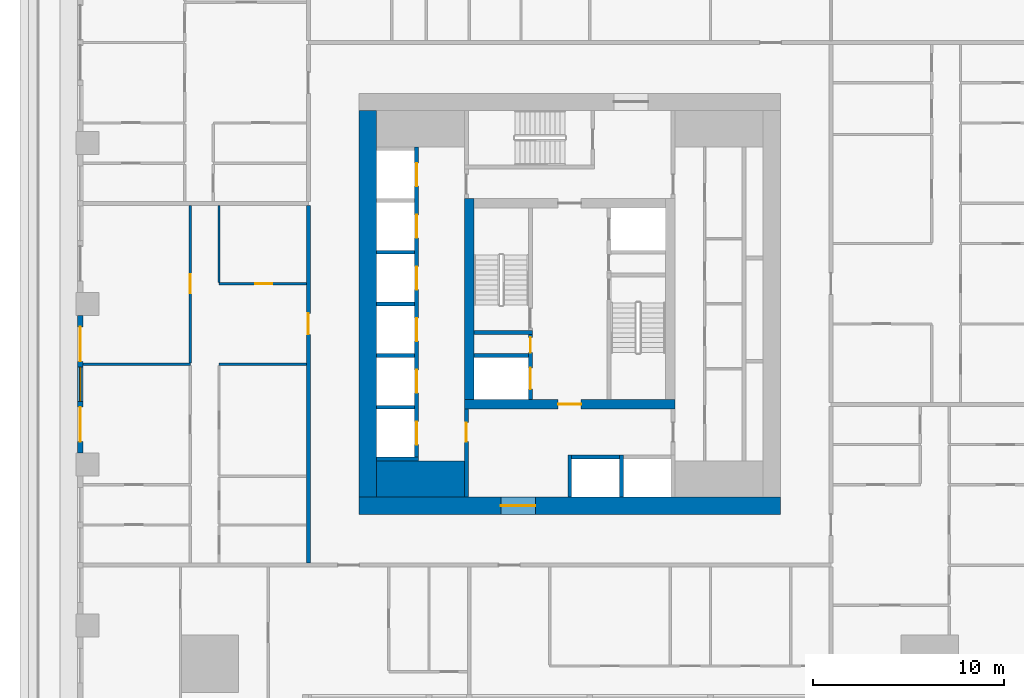
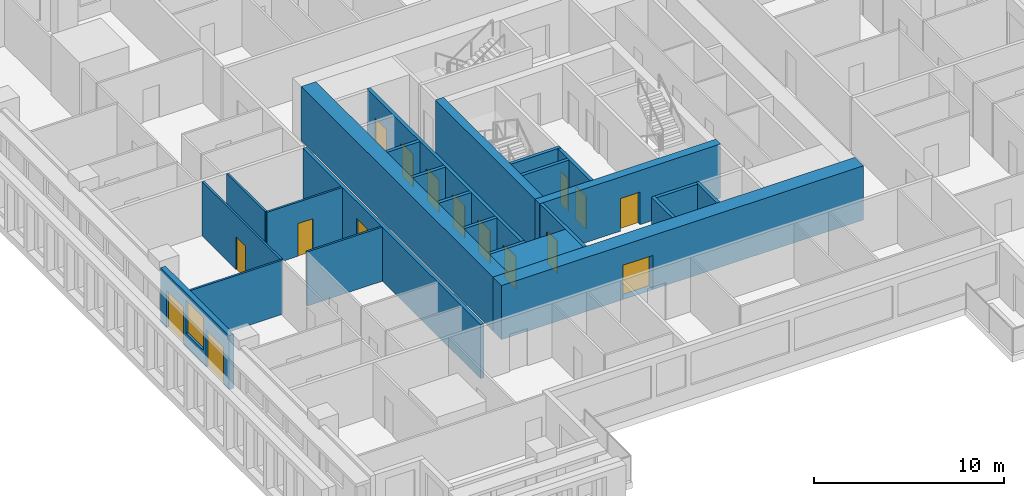
# One storey, part 3 of 14: 25 walls, 16 doors, 1 window, 17 openings.
"""IFC4 building model written with IfcOpenShell, lengths in metres."""

from ifc_helpers import new_model, si_unit, direction, frame, frame_2d, origin, place, context, subcontext, project, spatial, rectangle, extrude, material, layer, layer_set, type_object, element, fill, save


model = new_model("IFC4")

# Units and contexts
model_context = context("Model", 3, precision=1e-05, world=origin(), true_north=direction((0.0, 1.0)))
body_context = subcontext(model_context, "Body", "Model", "MODEL_VIEW")
ifc_project = project(units=[si_unit("LENGTHUNIT", "METRE"), si_unit("AREAUNIT", "SQUARE_METRE"), si_unit("VOLUMEUNIT", "CUBIC_METRE"), si_unit("PLANEANGLEUNIT", "RADIAN"), si_unit("MASSUNIT", "GRAM", prefix="KILO")], contexts=[model_context])

# Site, building, storey
site_placement = place(None, origin())
site = spatial("IfcSite", under=ifc_project, at=site_placement, CompositionType="ELEMENT")
building_placement = place(site_placement, origin())
building = spatial("IfcBuilding", under=site, at=building_placement, Name="Khepri Terraces", CompositionType="ELEMENT")
storey_placement = place(building_placement, frame((0.0, 0.0, 66.0)))
storey = spatial("IfcBuildingStorey", under=building, at=storey_placement, Name="L15", CompositionType="ELEMENT", Elevation=66.0)

# Walls
ifc_material_1 = material(Name="Concrete C80/95", Category="concrete")
ifc_layer_1 = layer(ifc_material_1, 1.89990234375, Name="Concrete C80/95", Category="concrete")
ifc_layer_set_1 = layer_set([ifc_layer_1], Name="Concrete C80/95")
wall_type_1 = type_object("IfcWallType", Name="Core wall 1900 C80/95", PredefinedType="SHEAR", material=ifc_layer_set_1)
wall_1_placement = place(storey_placement, frame((-10.10009765625, -9.14990234375, 0.0), z_axis=(0.0, 0.0, 1.0), x_axis=(1.0, 0.0, 0.0)))
element("IfcWall", 1, at=wall_1_placement, inside=storey, type_object=wall_type_1, Name="Core wall PR01 L15", PredefinedType="SHEAR", context=body_context, shape_type="SweptSolid", body=[
    extrude(rectangle(XDim=4.60009765625, YDim=1.89990234375, at=frame_2d((2.300048828125, 0.0))), origin(), (0.0, 0.0, 1.0), 3.47998046875),
])
ifc_layer_2 = layer(ifc_material_1, 0.199951171875, Name="Concrete C80/95", Category="concrete")
ifc_layer_set_2 = layer_set([ifc_layer_2], Name="Concrete C80/95")
wall_type_2 = type_object("IfcWallType", Name="Core wall 200 C80/95", PredefinedType="SHEAR", material=ifc_layer_set_2)
wall_2_placement = place(storey_placement, frame((-5.0, -1.5, 0.0), z_axis=(0.0, 0.0, 1.0), x_axis=(1.0, 0.0, 0.0)))
element("IfcWall", 2, at=wall_2_placement, inside=storey, type_object=wall_type_2, Name="Core wall ST02 L15", PredefinedType="SHEAR", context=body_context, shape_type="SweptSolid", body=[
    extrude(rectangle(XDim=3.050048828125, YDim=0.199951171875, at=frame_2d((1.52490234375, 0.0))), origin(), (0.0, 0.0, 1.0), 3.47998046875),
])
for number, where, z_axis, x_axis, name in (
    (3, (0.0, -10.10009765625, 0.0), (0.0, 0.0, 1.0), (0.0, 1.0, 0.0), "Core wall SH01 L15"),
    (4, (2.699951171875, -10.10009765625, 0.0), (0.0, 0.0, 1.0), (0.0, 1.0, 0.0), "Core wall SH02 L15"),
    (5, (-10.10009765625, -8.10009765625, 0.0), (0.0, 0.0, 1.0), (1.0, 0.0, 0.0), "Core wall SH04 L15"),
):
    element("IfcWall", number, at=place(storey_placement, frame(where, z_axis=z_axis, x_axis=x_axis)), inside=storey, type_object=wall_type_2, Name=name, PredefinedType="SHEAR", context=body_context, shape_type="SweptSolid", body=[
        extrude(rectangle(XDim=2.2001953125, YDim=0.199951171875, at=frame_2d((1.10009765625, 0.0))), origin(), (0.0, 0.0, 1.0), 3.47998046875),
    ])
wall_3_placement = place(storey_placement, frame((0.10009765625, -8.0, 0.0), z_axis=(0.0, 0.0, 1.0), x_axis=(1.0, 0.0, 0.0)))
element("IfcWall", 6, at=wall_3_placement, inside=storey, type_object=wall_type_2, Name="Core wall SH06 L15", PredefinedType="SHEAR", context=body_context, shape_type="SweptSolid", body=[
    extrude(rectangle(XDim=2.5, YDim=0.199951171875, at=frame_2d((1.25, 0.0))), origin(), (0.0, 0.0, 1.0), 3.47998046875),
])

# Wall, openings, doors
wall_4_placement = place(storey_placement, frame((-8.0, -8.0, 0.0), z_axis=(0.0, 0.0, 1.0), x_axis=(0.0, 1.0, 0.0)))
wall_4 = element("IfcWall", 7, at=wall_4_placement, inside=storey, type_object=wall_type_2, Name="Core wall SH08 L15", PredefinedType="SHEAR", context=body_context, shape_type="SweptSolid", body=[
    extrude(rectangle(XDim=16.199951171875, YDim=0.199951171875, at=frame_2d((8.10009765625, 0.0))), origin(), (0.0, 0.0, 1.0), 3.47998046875),
])
opening_1_placement = place(wall_4_placement, frame((0.64990234375, 0.0, 0.0)))
opening_1 = element("IfcOpeningElement", 8, at=opening_1_placement, cuts=wall_4, Name="Opening L15-C01", PredefinedType="OPENING", context=body_context, shape_type="SweptSolid", body=[
    extrude(rectangle(XDim=1.199951171875, YDim=2.10009765625, at=frame_2d((0.60009765625, 1.050048828125))), frame((0.0, 0.10986328125, 0.0), z_axis=(0.0, -1.0, 0.0), x_axis=(1.0, 0.0, 0.0)), (0.0, 0.0, 1.0), 0.219970703125),
])
opening_2_placement = place(wall_4_placement, frame((3.35009765625, 0.0, 0.0)))
opening_2 = element("IfcOpeningElement", 9, at=opening_2_placement, cuts=wall_4, Name="Opening L15-C02", PredefinedType="OPENING", context=body_context, shape_type="SweptSolid", body=[
    extrude(rectangle(XDim=1.199951171875, YDim=2.10009765625, at=frame_2d((0.60009765625, 1.050048828125))), frame((0.0, 0.10986328125, 0.0), z_axis=(0.0, -1.0, 0.0), x_axis=(1.0, 0.0, 0.0)), (0.0, 0.0, 1.0), 0.219970703125),
])
opening_3_placement = place(wall_4_placement, frame((6.050048828125, 0.0, 0.0)))
opening_3 = element("IfcOpeningElement", 10, at=opening_3_placement, cuts=wall_4, Name="Opening L15-C03", PredefinedType="OPENING", context=body_context, shape_type="SweptSolid", body=[
    extrude(rectangle(XDim=1.199951171875, YDim=2.10009765625, at=frame_2d((0.60009765625, 1.050048828125))), frame((0.0, 0.10986328125, 0.0), z_axis=(0.0, -1.0, 0.0), x_axis=(1.0, 0.0, 0.0)), (0.0, 0.0, 1.0), 0.219970703125),
])
opening_4_placement = place(wall_4_placement, frame((8.75, 0.0, 0.0)))
opening_4 = element("IfcOpeningElement", 11, at=opening_4_placement, cuts=wall_4, Name="Opening L15-C04", PredefinedType="OPENING", context=body_context, shape_type="SweptSolid", body=[
    extrude(rectangle(XDim=1.199951171875, YDim=2.10009765625, at=frame_2d((0.60009765625, 1.050048828125))), frame((0.0, 0.10986328125, 0.0), z_axis=(0.0, -1.0, 0.0), x_axis=(1.0, 0.0, 0.0)), (0.0, 0.0, 1.0), 0.219970703125),
])
opening_5_placement = place(wall_4_placement, frame((11.449951171875, 0.0, 0.0)))
opening_5 = element("IfcOpeningElement", 12, at=opening_5_placement, cuts=wall_4, Name="Opening L15-C05", PredefinedType="OPENING", context=body_context, shape_type="SweptSolid", body=[
    extrude(rectangle(XDim=1.199951171875, YDim=2.10009765625, at=frame_2d((0.60009765625, 1.050048828125))), frame((0.0, 0.10986328125, 0.0), z_axis=(0.0, -1.0, 0.0), x_axis=(1.0, 0.0, 0.0)), (0.0, 0.0, 1.0), 0.219970703125),
])
opening_6_placement = place(wall_4_placement, frame((14.14990234375, 0.0, 0.0)))
opening_6 = element("IfcOpeningElement", 13, at=opening_6_placement, cuts=wall_4, Name="Opening L15-C06", PredefinedType="OPENING", context=body_context, shape_type="SweptSolid", body=[
    extrude(rectangle(XDim=1.199951171875, YDim=2.10009765625, at=frame_2d((0.60009765625, 1.050048828125))), frame((0.0, 0.10986328125, 0.0), z_axis=(0.0, -1.0, 0.0), x_axis=(1.0, 0.0, 0.0)), (0.0, 0.0, 1.0), 0.219970703125),
])
ifc_material_2 = material(Name="Stainless steel 304", Category="steel")
door_type_1 = type_object("IfcDoorType", Name="DR-CORE-LANDING-1200", OperationType="NOTDEFINED", PredefinedType="DOOR", material=ifc_material_2)
door_1_placement = place(opening_1_placement, origin())
door_1 = element("IfcDoor", 14, at=door_1_placement, inside=storey, type_object=door_type_1, Name="Lift landing door L15-C01", OperationType="SLIDING_TO_LEFT", OverallHeight=2.10009765625, OverallWidth=1.199951171875, PredefinedType="DOOR", context=body_context, shape_type="SweptSolid", body=[
    extrude(rectangle(XDim=1.199951171875, YDim=2.10009765625, at=frame_2d((0.60009765625, 1.050048828125))), frame((0.0, 0.02490234375, 0.0), z_axis=(0.0, -1.0, 0.0), x_axis=(1.0, 0.0, 0.0)), (0.0, 0.0, 1.0), 0.050048828125),
])
fill(opening_1, door_1)
door_2_placement = place(opening_2_placement, origin())
door_2 = element("IfcDoor", 15, at=door_2_placement, inside=storey, type_object=door_type_1, Name="Lift landing door L15-C02", OperationType="SLIDING_TO_LEFT", OverallHeight=2.10009765625, OverallWidth=1.199951171875, PredefinedType="DOOR", context=body_context, shape_type="SweptSolid", body=[
    extrude(rectangle(XDim=1.199951171875, YDim=2.10009765625, at=frame_2d((0.60009765625, 1.050048828125))), frame((0.0, 0.02490234375, 0.0), z_axis=(0.0, -1.0, 0.0), x_axis=(1.0, 0.0, 0.0)), (0.0, 0.0, 1.0), 0.050048828125),
])
fill(opening_2, door_2)
door_3_placement = place(opening_3_placement, origin())
door_3 = element("IfcDoor", 16, at=door_3_placement, inside=storey, type_object=door_type_1, Name="Lift landing door L15-C03", OperationType="SLIDING_TO_LEFT", OverallHeight=2.10009765625, OverallWidth=1.199951171875, PredefinedType="DOOR", context=body_context, shape_type="SweptSolid", body=[
    extrude(rectangle(XDim=1.199951171875, YDim=2.10009765625, at=frame_2d((0.60009765625, 1.050048828125))), frame((0.0, 0.02490234375, 0.0), z_axis=(0.0, -1.0, 0.0), x_axis=(1.0, 0.0, 0.0)), (0.0, 0.0, 1.0), 0.050048828125),
])
fill(opening_3, door_3)
door_4_placement = place(opening_4_placement, origin())
door_4 = element("IfcDoor", 17, at=door_4_placement, inside=storey, type_object=door_type_1, Name="Lift landing door L15-C04", OperationType="SLIDING_TO_LEFT", OverallHeight=2.10009765625, OverallWidth=1.199951171875, PredefinedType="DOOR", context=body_context, shape_type="SweptSolid", body=[
    extrude(rectangle(XDim=1.199951171875, YDim=2.10009765625, at=frame_2d((0.60009765625, 1.050048828125))), frame((0.0, 0.02490234375, 0.0), z_axis=(0.0, -1.0, 0.0), x_axis=(1.0, 0.0, 0.0)), (0.0, 0.0, 1.0), 0.050048828125),
])
fill(opening_4, door_4)
door_5_placement = place(opening_5_placement, origin())
door_5 = element("IfcDoor", 18, at=door_5_placement, inside=storey, type_object=door_type_1, Name="Lift landing door L15-C05", OperationType="SLIDING_TO_LEFT", OverallHeight=2.10009765625, OverallWidth=1.199951171875, PredefinedType="DOOR", context=body_context, shape_type="SweptSolid", body=[
    extrude(rectangle(XDim=1.199951171875, YDim=2.10009765625, at=frame_2d((0.60009765625, 1.050048828125))), frame((0.0, 0.02490234375, 0.0), z_axis=(0.0, -1.0, 0.0), x_axis=(1.0, 0.0, 0.0)), (0.0, 0.0, 1.0), 0.050048828125),
])
fill(opening_5, door_5)
door_6_placement = place(opening_6_placement, origin())
door_6 = element("IfcDoor", 19, at=door_6_placement, inside=storey, type_object=door_type_1, Name="Lift landing door L15-C06", OperationType="SLIDING_TO_LEFT", OverallHeight=2.10009765625, OverallWidth=1.199951171875, PredefinedType="DOOR", context=body_context, shape_type="SweptSolid", body=[
    extrude(rectangle(XDim=1.199951171875, YDim=2.10009765625, at=frame_2d((0.60009765625, 1.050048828125))), frame((0.0, 0.02490234375, 0.0), z_axis=(0.0, -1.0, 0.0), x_axis=(1.0, 0.0, 0.0)), (0.0, 0.0, 1.0), 0.050048828125),
])
fill(opening_6, door_6)

# Wall
wall_5_placement = place(storey_placement, frame((-10.10009765625, -5.39990234375, 0.0), z_axis=(0.0, 0.0, 1.0), x_axis=(1.0, 0.0, 0.0)))
element("IfcWall", 20, at=wall_5_placement, inside=storey, type_object=wall_type_2, Name="Core wall SH09 L15", PredefinedType="SHEAR", context=body_context, shape_type="SweptSolid", body=[
    extrude(rectangle(XDim=2.0, YDim=0.199951171875, at=frame_2d((1.0, 0.0))), origin(), (0.0, 0.0, 1.0), 3.47998046875),
])

# Wall, openings, doors
wall_6_placement = place(storey_placement, frame((-2.050048828125, -5.0, 0.0), z_axis=(0.0, 0.0, 1.0), x_axis=(0.0, 1.0, 0.0)))
wall_6 = element("IfcWall", 21, at=wall_6_placement, inside=storey, type_object=wall_type_2, Name="Core wall SH10 L15", PredefinedType="SHEAR", context=body_context, shape_type="SweptSolid", body=[
    extrude(rectangle(XDim=3.39990234375, YDim=0.199951171875, at=frame_2d((1.699951171875, 0.0))), origin(), (0.0, 0.0, 1.0), 3.47998046875),
])
opening_7_placement = place(wall_6_placement, frame((0.550048828125, 0.0, 0.0)))
opening_7 = element("IfcOpeningElement", 22, at=opening_7_placement, cuts=wall_6, Name="Opening L15-C08", PredefinedType="OPENING", context=body_context, shape_type="SweptSolid", body=[
    extrude(rectangle(XDim=1.10009765625, YDim=2.10009765625, at=frame_2d((0.550048828125, 1.050048828125))), frame((0.0, 0.10986328125, 0.0), z_axis=(0.0, -1.0, 0.0), x_axis=(1.0, 0.0, 0.0)), (0.0, 0.0, 1.0), 0.219970703125),
])
opening_8_placement = place(wall_6_placement, frame((2.449951171875, 0.0, 0.0)))
opening_8 = element("IfcOpeningElement", 23, at=opening_8_placement, cuts=wall_6, Name="Opening L15-C12", PredefinedType="OPENING", context=body_context, shape_type="SweptSolid", body=[
    extrude(rectangle(XDim=0.800048828125, YDim=2.10009765625, at=frame_2d((0.39990234375, 1.050048828125))), frame((0.0, 0.10986328125, 0.0), z_axis=(0.0, -1.0, 0.0), x_axis=(1.0, 0.0, 0.0)), (0.0, 0.0, 1.0), 0.219970703125),
])
door_type_2 = type_object("IfcDoorType", Name="DR-CORE-FF-LANDING-1100", OperationType="NOTDEFINED", PredefinedType="DOOR", material=ifc_material_2)
door_7_placement = place(opening_7_placement, origin())
door_7 = element("IfcDoor", 24, at=door_7_placement, inside=storey, type_object=door_type_2, Name="Firefighting lift landing door L15-C08", OperationType="SLIDING_TO_LEFT", OverallHeight=2.10009765625, OverallWidth=1.10009765625, PredefinedType="DOOR", context=body_context, shape_type="SweptSolid", body=[
    extrude(rectangle(XDim=1.10009765625, YDim=2.10009765625, at=frame_2d((0.550048828125, 1.050048828125))), frame((0.0, 0.02490234375, 0.0), z_axis=(0.0, -1.0, 0.0), x_axis=(1.0, 0.0, 0.0)), (0.0, 0.0, 1.0), 0.050048828125),
])
fill(opening_7, door_7)
ifc_material_3 = material(Name="Painted steel", Category="steel")
door_type_3 = type_object("IfcDoorType", Name="DR-CORE-RISER-800", OperationType="NOTDEFINED", PredefinedType="DOOR", material=ifc_material_3)
door_8_placement = place(opening_8_placement, origin())
door_8 = element("IfcDoor", 25, at=door_8_placement, inside=storey, type_object=door_type_3, Name="Riser door L15-C12", OperationType="SINGLE_SWING_RIGHT", OverallHeight=2.10009765625, OverallWidth=0.800048828125, PredefinedType="DOOR", context=body_context, shape_type="SweptSolid", body=[
    extrude(rectangle(XDim=0.800048828125, YDim=2.10009765625, at=frame_2d((0.39990234375, 1.050048828125))), frame((0.0, 0.02490234375, 0.0), z_axis=(0.0, -1.0, 0.0), x_axis=(1.0, 0.0, 0.0)), (0.0, 0.0, 1.0), 0.050048828125),
])
fill(opening_8, door_8)

# Walls
wall_7_placement = place(storey_placement, frame((-10.10009765625, -2.699951171875, 0.0), z_axis=(0.0, 0.0, 1.0), x_axis=(1.0, 0.0, 0.0)))
element("IfcWall", 26, at=wall_7_placement, inside=storey, type_object=wall_type_2, Name="Core wall SH12 L15", PredefinedType="SHEAR", context=body_context, shape_type="SweptSolid", body=[
    extrude(rectangle(XDim=2.0, YDim=0.199951171875, at=frame_2d((1.0, 0.0))), origin(), (0.0, 0.0, 1.0), 3.47998046875),
])
wall_8_placement = place(storey_placement, frame((-5.0, -2.699951171875, 0.0), z_axis=(0.0, 0.0, 1.0), x_axis=(1.0, 0.0, 0.0)))
element("IfcWall", 27, at=wall_8_placement, inside=storey, type_object=wall_type_2, Name="Core wall SH13 L15", PredefinedType="SHEAR", context=body_context, shape_type="SweptSolid", body=[
    extrude(rectangle(XDim=2.85009765625, YDim=0.199951171875, at=frame_2d((1.425048828125, 0.0))), origin(), (0.0, 0.0, 1.0), 3.47998046875),
])
for number, where, z_axis, x_axis, name in (
    (28, (-10.10009765625, 0.0, 0.0), (0.0, 0.0, 1.0), (1.0, 0.0, 0.0), "Core wall SH14 L15"),
    (29, (-10.10009765625, 2.699951171875, 0.0), (0.0, 0.0, 1.0), (1.0, 0.0, 0.0), "Core wall SH17 L15"),
):
    element("IfcWall", number, at=place(storey_placement, frame(where, z_axis=z_axis, x_axis=x_axis)), inside=storey, type_object=wall_type_2, Name=name, PredefinedType="SHEAR", context=body_context, shape_type="SweptSolid", body=[
        extrude(rectangle(XDim=2.0, YDim=0.199951171875, at=frame_2d((1.0, 0.0))), origin(), (0.0, 0.0, 1.0), 3.47998046875),
    ])

# Wall, opening, door
ifc_layer_3 = layer(ifc_material_1, 0.5, Name="Concrete C80/95", Category="concrete")
ifc_layer_set_3 = layer_set([ifc_layer_3], Name="Concrete C80/95")
wall_type_3 = type_object("IfcWallType", Name="Core wall 500 C80/95", PredefinedType="SHEAR", material=ifc_layer_set_3)
wall_9_placement = place(storey_placement, frame((-5.5, -5.25, 0.0), z_axis=(0.0, 0.0, 1.0), x_axis=(1.0, 0.0, 0.0)))
wall_9 = element("IfcWall", 30, at=wall_9_placement, inside=storey, type_object=wall_type_3, Name="Core wall BX01 L15", PredefinedType="SHEAR", context=body_context, shape_type="SweptSolid", body=[
    extrude(rectangle(XDim=11.0, YDim=0.5, at=frame_2d((5.5, 0.0))), origin(), (0.0, 0.0, 1.0), 3.47998046875),
])
opening_9_placement = place(wall_9_placement, frame((4.89990234375, 0.0, 0.0)))
opening_9 = element("IfcOpeningElement", 31, at=opening_9_placement, cuts=wall_9, Name="Opening L15-C14", PredefinedType="OPENING", context=body_context, shape_type="SweptSolid", body=[
    extrude(rectangle(XDim=1.199951171875, YDim=2.10009765625, at=frame_2d((0.60009765625, 1.050048828125))), frame((0.0, 0.260009765625, 0.0), z_axis=(0.0, -1.0, 0.0), x_axis=(1.0, 0.0, 0.0)), (0.0, 0.0, 1.0), 0.52001953125),
])
door_type_4 = type_object("IfcDoorType", Name="DR-CORE-FF-LOBBY-1200", OperationType="NOTDEFINED", PredefinedType="DOOR", material=ifc_material_3)
door_9_placement = place(opening_9_placement, origin())
door_9 = element("IfcDoor", 32, at=door_9_placement, inside=storey, type_object=door_type_4, Name="Firefighting lobby door L15-C14", OperationType="SINGLE_SWING_RIGHT", OverallHeight=2.10009765625, OverallWidth=1.199951171875, PredefinedType="DOOR", context=body_context, shape_type="SweptSolid", body=[
    extrude(rectangle(XDim=1.199951171875, YDim=2.10009765625, at=frame_2d((0.60009765625, 1.050048828125))), frame((0.0, 0.02490234375, 0.0), z_axis=(0.0, -1.0, 0.0), x_axis=(1.0, 0.0, 0.0)), (0.0, 0.0, 1.0), 0.050048828125),
])
fill(opening_9, door_9)

# Wall
wall_10_placement = place(storey_placement, frame((-5.25, -5.0, 0.0), z_axis=(0.0, 0.0, 1.0), x_axis=(0.0, 1.0, 0.0)))
element("IfcWall", 33, at=wall_10_placement, inside=storey, type_object=wall_type_3, Name="Core wall BX02 L15", PredefinedType="SHEAR", context=body_context, shape_type="SweptSolid", body=[
    extrude(rectangle(XDim=10.5, YDim=0.5, at=frame_2d((5.25, 0.0))), origin(), (0.0, 0.0, 1.0), 3.47998046875),
])

# Wall, opening, door
ifc_layer_4 = layer(ifc_material_1, 0.89990234375, Name="Concrete C80/95", Category="concrete")
ifc_layer_set_4 = layer_set([ifc_layer_4], Name="Concrete C80/95")
wall_type_4 = type_object("IfcWallType", Name="Core wall 900 C80/95", PredefinedType="SHEAR", material=ifc_layer_set_4)
wall_11_placement = place(storey_placement, frame((-11.0, -10.550048828125, 0.0), z_axis=(0.0, 0.0, 1.0), x_axis=(1.0, 0.0, 0.0)))
wall_11 = element("IfcWall", 34, at=wall_11_placement, inside=storey, type_object=wall_type_4, Name="Core wall OW-S L15", PredefinedType="SHEAR", context=body_context, shape_type="SweptSolid", body=[
    extrude(rectangle(XDim=22.0, YDim=0.89990234375, at=frame_2d((11.0, 0.0))), origin(), (0.0, 0.0, 1.0), 3.47998046875),
])
opening_10_placement = place(wall_11_placement, frame((7.39990234375, 0.0, 0.0)))
opening_10 = element("IfcOpeningElement", 35, at=opening_10_placement, cuts=wall_11, Name="Opening L15-C21", PredefinedType="OPENING", context=body_context, shape_type="SweptSolid", body=[
    extrude(rectangle(XDim=1.800048828125, YDim=2.199951171875, at=frame_2d((0.89990234375, 1.10009765625))), frame((0.0, 0.4599609375, 0.0), z_axis=(0.0, -1.0, 0.0), x_axis=(1.0, 0.0, 0.0)), (0.0, 0.0, 1.0), 0.919921875),
])
door_type_5 = type_object("IfcDoorType", Name="DR-CORE-ENTRANCE-1800", OperationType="NOTDEFINED", PredefinedType="DOOR", material=ifc_material_3)
door_10_placement = place(opening_10_placement, frame((1.800048828125, 0.0, 0.0), z_axis=(0.0, 0.0, 1.0), x_axis=(-1.0, 0.0, 0.0)))
door_10 = element("IfcDoor", 36, at=door_10_placement, inside=storey, type_object=door_type_5, Name="Core entrance door pair L15-C21", OperationType="DOUBLE_DOOR_SINGLE_SWING", OverallHeight=2.199951171875, OverallWidth=1.800048828125, PredefinedType="DOOR", context=body_context, shape_type="SweptSolid", body=[
    extrude(rectangle(XDim=1.800048828125, YDim=2.199951171875, at=frame_2d((0.89990234375, 1.10009765625))), frame((0.0, 0.02490234375, 0.0), z_axis=(0.0, -1.0, 0.0), x_axis=(1.0, 0.0, 0.0)), (0.0, 0.0, 1.0), 0.050048828125),
])
fill(opening_10, door_10)

# Wall
wall_12_placement = place(storey_placement, frame((-10.550048828125, -10.10009765625, 0.0), z_axis=(0.0, 0.0, 1.0), x_axis=(0.0, 1.0, 0.0)))
element("IfcWall", 37, at=wall_12_placement, inside=storey, type_object=wall_type_4, Name="Core wall OW-W L15", PredefinedType="SHEAR", context=body_context, shape_type="SweptSolid", body=[
    extrude(rectangle(XDim=20.2001953125, YDim=0.89990234375, at=frame_2d((10.10009765625, 0.0))), origin(), (0.0, 0.0, 1.0), 3.47998046875),
])

# Wall, opening, door
ifc_material_4 = material(Name="Fire-rated gypsum board partition")
ifc_layer_5 = layer(ifc_material_4, 0.199951171875, Name="Fire-rated gypsum board partition")
ifc_layer_set_5 = layer_set([ifc_layer_5], Name="Fire-rated gypsum board partition")
wall_type_5 = type_object("IfcWallType", Name="WL-CORE-PART-200", PredefinedType="PARTITIONING", material=ifc_layer_set_5)
wall_13_placement = place(storey_placement, frame((-5.39990234375, -10.10009765625, 0.0), z_axis=(0.0, 0.0, 1.0), x_axis=(0.0, 1.0, 0.0)))
wall_13 = element("IfcWall", 38, at=wall_13_placement, inside=storey, type_object=wall_type_5, Name="Core partition PT01 L15", PredefinedType="PARTITIONING", context=body_context, shape_type="SweptSolid", body=[
    extrude(rectangle(XDim=4.60009765625, YDim=0.199951171875, at=frame_2d((2.300048828125, 0.0))), origin(), (0.0, 0.0, 1.0), 3.47998046875),
])
opening_11_placement = place(wall_13_placement, frame((2.89990234375, 0.0, 0.0)))
opening_11 = element("IfcOpeningElement", 39, at=opening_11_placement, cuts=wall_13, Name="Opening L15-C18", PredefinedType="OPENING", context=body_context, shape_type="SweptSolid", body=[
    extrude(rectangle(XDim=1.0, YDim=2.10009765625, at=frame_2d((0.5, 1.050048828125))), frame((0.0, 0.10986328125, 0.0), z_axis=(0.0, -1.0, 0.0), x_axis=(1.0, 0.0, 0.0)), (0.0, 0.0, 1.0), 0.219970703125),
])
door_type_6 = type_object("IfcDoorType", Name="DR-CORE-LOBBY-1000", OperationType="NOTDEFINED", PredefinedType="DOOR", material=ifc_material_3)
door_11_placement = place(opening_11_placement, frame((1.0, 0.0, 0.0), z_axis=(0.0, 0.0, 1.0), x_axis=(-1.0, 0.0, 0.0)))
door_11 = element("IfcDoor", 40, at=door_11_placement, inside=storey, type_object=door_type_6, Name="Lobby door L15-C18", OperationType="SINGLE_SWING_LEFT", OverallHeight=2.10009765625, OverallWidth=1.0, PredefinedType="DOOR", context=body_context, shape_type="SweptSolid", body=[
    extrude(rectangle(XDim=1.0, YDim=2.10009765625, at=frame_2d((0.5, 1.050048828125))), frame((0.0, 0.02490234375, 0.0), z_axis=(0.0, -1.0, 0.0), x_axis=(1.0, 0.0, 0.0)), (0.0, 0.0, 1.0), 0.050048828125),
])
fill(opening_11, door_11)

ifc_material_5 = material(Name="Fire-rated gypsum plasterboard partition, mineral wool")
ifc_layer_6 = layer(ifc_material_5, 0.199951171875, Name="Fire-rated gypsum plasterboard partition, mineral wool")
ifc_layer_set_6 = layer_set([ifc_layer_6], Name="Fire-rated gypsum plasterboard partition, mineral wool")
wall_type_6 = type_object("IfcWallType", Name="WL-CORR-200", PredefinedType="PARTITIONING", material=ifc_layer_set_6)
wall_14_placement = place(storey_placement, frame((-13.64990234375, -13.550048828125, 0.0), z_axis=(0.0, 0.0, 1.0), x_axis=(0.0, 1.0, 0.0)))
wall_14 = element("IfcWall", 41, at=wall_14_placement, inside=storey, type_object=wall_type_6, Name="Partition P-023 L15", PredefinedType="PARTITIONING", context=body_context, shape_type="SweptSolid", body=[
    extrude(rectangle(XDim=18.699951171875, YDim=0.199951171875, at=frame_2d((9.35009765625, 0.0))), origin(), (0.0, 0.0, 1.0), 3.47998046875),
])
opening_12_placement = place(wall_14_placement, frame((11.949951171875, 0.0, 0.0)))
opening_12 = element("IfcOpeningElement", 42, at=opening_12_placement, cuts=wall_14, Name="Opening D1", PredefinedType="OPENING", context=body_context, shape_type="SweptSolid", body=[
    extrude(rectangle(XDim=1.10009765625, YDim=2.39990234375, at=frame_2d((0.550048828125, 1.199951171875))), frame((0.0, 0.10986328125, 0.0), z_axis=(0.0, -1.0, 0.0), x_axis=(1.0, 0.0, 0.0)), (0.0, 0.0, 1.0), 0.219970703125),
])
ifc_material_6 = material(Name="Solid-core timber door leaf, flat entrance door", Category="wood")
door_type_7 = type_object("IfcDoorType", Name="DR-ENT-1100", OperationType="NOTDEFINED", PredefinedType="DOOR", material=ifc_material_6)
door_12_placement = place(opening_12_placement, origin())
door_12 = element("IfcDoor", 43, at=door_12_placement, inside=storey, type_object=door_type_7, Name="Flat D2 entrance door", OperationType="SINGLE_SWING_RIGHT", OverallHeight=2.39990234375, OverallWidth=1.10009765625, PredefinedType="DOOR", context=body_context, shape_type="SweptSolid", body=[
    extrude(rectangle(XDim=1.10009765625, YDim=2.39990234375, at=frame_2d((0.550048828125, 1.199951171875))), frame((0.0, 0.02490234375, 0.0), z_axis=(0.0, -1.0, 0.0), x_axis=(1.0, 0.0, 0.0)), (0.0, 0.0, 1.0), 0.050048828125),
])
fill(opening_12, door_12)

# Wall, openings, doors, window
ifc_material_7 = material(Name="Precast concrete C50/60 warm stone", Category="masonry")
ifc_layer_7 = layer(ifc_material_7, 0.300048828125, Name="Precast concrete C50/60 warm stone", Category="masonry")
ifc_layer_set_7 = layer_set([ifc_layer_7], Name="Precast concrete C50/60 warm stone")
wall_type_7 = type_object("IfcWallType", Name="WL-EXT-PRECAST-300", PredefinedType="STANDARD", material=ifc_layer_set_7)
wall_15_placement = place(storey_placement, frame((-25.570068359375, -0.60009765625, 0.0), z_axis=(0.0, 0.0, 1.0), x_axis=(0.0, -1.0, 0.0)))
wall_15 = element("IfcWall", 44, at=wall_15_placement, inside=storey, type_object=wall_type_7, Name="External wall L15 W", PredefinedType="STANDARD", context=body_context, shape_type="SweptSolid", body=[
    extrude(rectangle(XDim=7.199951171875, YDim=0.300048828125, at=frame_2d((3.60009765625, 0.0))), origin(), (0.0, 0.0, 1.0), 3.47998046875),
])
opening_13_placement = place(wall_15_placement, frame((0.60009765625, 0.0, 0.0)))
opening_13 = element("IfcOpeningElement", 45, at=opening_13_placement, cuts=wall_15, Name="Opening ED-L15-16", PredefinedType="OPENING", context=body_context, shape_type="SweptSolid", body=[
    extrude(rectangle(XDim=1.800048828125, YDim=2.39990234375, at=frame_2d((0.89990234375, 1.199951171875))), frame((0.0, 0.16015625, 0.0), z_axis=(0.0, -1.0, 0.0), x_axis=(1.0, 0.0, 0.0)), (0.0, 0.0, 1.0), 0.320068359375),
])
opening_14_placement = place(wall_15_placement, frame((2.699951171875, 0.0, 0.89990234375)))
opening_14 = element("IfcOpeningElement", 46, at=opening_14_placement, cuts=wall_15, Name="Opening W1", PredefinedType="OPENING", context=body_context, shape_type="SweptSolid", body=[
    extrude(rectangle(XDim=1.800048828125, YDim=2.10009765625, at=frame_2d((0.89990234375, 1.050048828125))), frame((0.0, 0.16015625, 0.0), z_axis=(0.0, -1.0, 0.0), x_axis=(1.0, 0.0, 0.0)), (0.0, 0.0, 1.0), 0.320068359375),
])
opening_15_placement = place(wall_15_placement, frame((4.800048828125, 0.0, 0.0)))
opening_15 = element("IfcOpeningElement", 47, at=opening_15_placement, cuts=wall_15, Name="Opening ED-L15-17", PredefinedType="OPENING", context=body_context, shape_type="SweptSolid", body=[
    extrude(rectangle(XDim=1.800048828125, YDim=2.39990234375, at=frame_2d((0.89990234375, 1.199951171875))), frame((0.0, 0.16015625, 0.0), z_axis=(0.0, -1.0, 0.0), x_axis=(1.0, 0.0, 0.0)), (0.0, 0.0, 1.0), 0.320068359375),
])
ifc_material_8 = material(Name="Anodised aluminium bronze glazed door", Category="aluminium")
door_type_8 = type_object("IfcDoorType", Name="DR-BAL-SLIDE-1800x2400", OperationType="NOTDEFINED", PredefinedType="DOOR", material=ifc_material_8)
door_13_placement = place(opening_13_placement, origin())
door_13 = element("IfcDoor", 48, at=door_13_placement, inside=storey, type_object=door_type_8, Name="Balcony door L15 W", OperationType="SLIDING_TO_LEFT", OverallHeight=2.39990234375, OverallWidth=1.800048828125, PredefinedType="DOOR", context=body_context, shape_type="SweptSolid", body=[
    extrude(rectangle(XDim=1.800048828125, YDim=2.39990234375, at=frame_2d((0.89990234375, 1.199951171875))), frame((0.0, 0.02490234375, 0.0), z_axis=(0.0, -1.0, 0.0), x_axis=(1.0, 0.0, 0.0)), (0.0, 0.0, 1.0), 0.050048828125),
])
fill(opening_13, door_13)
door_14_placement = place(opening_15_placement, origin())
door_14 = element("IfcDoor", 49, at=door_14_placement, inside=storey, type_object=door_type_8, Name="Balcony door L15 W", OperationType="SLIDING_TO_RIGHT", OverallHeight=2.39990234375, OverallWidth=1.800048828125, PredefinedType="DOOR", context=body_context, shape_type="SweptSolid", body=[
    extrude(rectangle(XDim=1.800048828125, YDim=2.39990234375, at=frame_2d((0.89990234375, 1.199951171875))), frame((0.0, 0.02490234375, 0.0), z_axis=(0.0, -1.0, 0.0), x_axis=(1.0, 0.0, 0.0)), (0.0, 0.0, 1.0), 0.050048828125),
])
fill(opening_15, door_14)
ifc_material_9 = material(Name="Clear glass", Category="glass")
window_type = type_object("IfcWindowType", Name="WIN-RES-1800x2100", PartitioningType="SINGLE_PANEL", PredefinedType="WINDOW", material=ifc_material_9)
window_placement = place(opening_14_placement, origin())
window = element("IfcWindow", 50, at=window_placement, inside=storey, type_object=window_type, Name="Window L15 W", OverallHeight=2.10009765625, OverallWidth=1.800048828125, PartitioningType="SINGLE_PANEL", PredefinedType="WINDOW", context=body_context, shape_type="SweptSolid", body=[
    extrude(rectangle(XDim=1.800048828125, YDim=2.10009765625, at=frame_2d((0.89990234375, 1.050048828125))), frame((0.0, 0.030029296875, 0.0), z_axis=(0.0, -1.0, 0.0), x_axis=(1.0, 0.0, 0.0)), (0.0, 0.0, 1.0), 0.06005859375),
])
fill(opening_14, window)

# Walls
ifc_material_10 = material(Name="Gypsum plasterboard partition")
ifc_layer_8 = layer(ifc_material_10, 0.1201171875, Name="Gypsum plasterboard partition")
ifc_layer_set_8 = layer_set([ifc_layer_8], Name="Gypsum plasterboard partition")
wall_type_8 = type_object("IfcWallType", Name="WL-PART-120", PredefinedType="PARTITIONING", material=ifc_layer_set_8)
wall_16_placement = place(storey_placement, frame((-25.419921875, -3.14990234375, 0.0), z_axis=(0.0, 0.0, 1.0), x_axis=(1.0, 0.0, 0.0)))
element("IfcWall", 51, at=wall_16_placement, inside=storey, type_object=wall_type_8, Name="Partition P-045 L15", PredefinedType="PARTITIONING", context=body_context, shape_type="SweptSolid", body=[
    extrude(rectangle(XDim=5.599853515625, YDim=0.1201171875, at=frame_2d((2.7998046875, 0.0))), origin(), (0.0, 0.0, 1.0), 3.47998046875),
])
wall_17_placement = place(storey_placement, frame((-18.320068359375, -3.14990234375, 0.0), z_axis=(0.0, 0.0, 1.0), x_axis=(1.0, 0.0, 0.0)))
element("IfcWall", 52, at=wall_17_placement, inside=storey, type_object=wall_type_8, Name="Partition P-046 L15", PredefinedType="PARTITIONING", context=body_context, shape_type="SweptSolid", body=[
    extrude(rectangle(XDim=4.570068359375, YDim=0.1201171875, at=frame_2d((2.28515625, 0.0))), origin(), (0.0, 0.0, 1.0), 3.47998046875),
])

# Wall, opening, door
wall_18_placement = place(storey_placement, frame((-19.820068359375, -3.090087890625, 0.0), z_axis=(0.0, 0.0, 1.0), x_axis=(0.0, 1.0, 0.0)))
wall_18 = element("IfcWall", 53, at=wall_18_placement, inside=storey, type_object=wall_type_8, Name="Partition P-047 L15", PredefinedType="PARTITIONING", context=body_context, shape_type="SweptSolid", body=[
    extrude(rectangle(XDim=8.239990234375, YDim=0.1201171875, at=frame_2d((4.1201171875, 0.0))), origin(), (0.0, 0.0, 1.0), 3.47998046875),
])
opening_16_placement = place(wall_18_placement, frame((3.639892578125, 0.0, 0.0)))
opening_16 = element("IfcOpeningElement", 54, at=opening_16_placement, cuts=wall_18, Name="Opening D2", PredefinedType="OPENING", context=body_context, shape_type="SweptSolid", body=[
    extrude(rectangle(XDim=1.0, YDim=2.10009765625, at=frame_2d((0.5, 1.050048828125))), frame((0.0, 0.070068359375, 0.0), z_axis=(0.0, -1.0, 0.0), x_axis=(1.0, 0.0, 0.0)), (0.0, 0.0, 1.0), 0.14013671875),
])
ifc_material_11 = material(Name="Timber door leaf, living room door", Category="wood")
door_type_9 = type_object("IfcDoorType", Name="DR-INT-1000", OperationType="NOTDEFINED", PredefinedType="DOOR", material=ifc_material_11)
door_15_placement = place(opening_16_placement, origin())
door_15 = element("IfcDoor", 55, at=door_15_placement, inside=storey, type_object=door_type_9, Name="Door Living Room", OperationType="SINGLE_SWING_RIGHT", OverallHeight=2.10009765625, OverallWidth=1.0, PredefinedType="DOOR", context=body_context, shape_type="SweptSolid", body=[
    extrude(rectangle(XDim=1.0, YDim=2.10009765625, at=frame_2d((0.5, 1.050048828125))), frame((0.0, 0.02490234375, 0.0), z_axis=(0.0, -1.0, 0.0), x_axis=(1.0, 0.0, 0.0)), (0.0, 0.0, 1.0), 0.050048828125),
])
fill(opening_16, door_15)

wall_19_placement = place(storey_placement, frame((-18.320068359375, 1.050048828125, 0.0), z_axis=(0.0, 0.0, 1.0), x_axis=(1.0, 0.0, 0.0)))
wall_19 = element("IfcWall", 56, at=wall_19_placement, inside=storey, type_object=wall_type_8, Name="Partition P-051 L15", PredefinedType="PARTITIONING", context=body_context, shape_type="SweptSolid", body=[
    extrude(rectangle(XDim=4.570068359375, YDim=0.1201171875, at=frame_2d((2.28515625, 0.0))), origin(), (0.0, 0.0, 1.0), 3.47998046875),
])
opening_17_placement = place(wall_19_placement, frame((1.885009765625, 0.0, 0.0)))
opening_17 = element("IfcOpeningElement", 57, at=opening_17_placement, cuts=wall_19, Name="Opening D3", PredefinedType="OPENING", context=body_context, shape_type="SweptSolid", body=[
    extrude(rectangle(XDim=0.89990234375, YDim=2.10009765625, at=frame_2d((0.449951171875, 1.050048828125))), frame((0.0, 0.070068359375, 0.0), z_axis=(0.0, -1.0, 0.0), x_axis=(1.0, 0.0, 0.0)), (0.0, 0.0, 1.0), 0.14013671875),
])
ifc_material_12 = material(Name="Timber door leaf", Category="wood")
door_type_10 = type_object("IfcDoorType", Name="DR-INT-900", OperationType="NOTDEFINED", PredefinedType="DOOR", material=ifc_material_12)
door_16_placement = place(opening_17_placement, origin())
door_16 = element("IfcDoor", 58, at=door_16_placement, inside=storey, type_object=door_type_10, Name="Door Utility Room", OperationType="SINGLE_SWING_RIGHT", OverallHeight=2.10009765625, OverallWidth=0.89990234375, PredefinedType="DOOR", context=body_context, shape_type="SweptSolid", body=[
    extrude(rectangle(XDim=0.89990234375, YDim=2.10009765625, at=frame_2d((0.449951171875, 1.050048828125))), frame((0.0, 0.02490234375, 0.0), z_axis=(0.0, -1.0, 0.0), x_axis=(1.0, 0.0, 0.0)), (0.0, 0.0, 1.0), 0.050048828125),
])
fill(opening_17, door_16)

# Wall
wall_20_placement = place(storey_placement, frame((-18.320068359375, 1.110107421875, 0.0), z_axis=(0.0, 0.0, 1.0), x_axis=(0.0, 1.0, 0.0)))
element("IfcWall", 59, at=wall_20_placement, inside=storey, type_object=wall_type_8, Name="Partition P-052 L15", PredefinedType="PARTITIONING", context=body_context, shape_type="SweptSolid", body=[
    extrude(rectangle(XDim=4.039794921875, YDim=0.1201171875, at=frame_2d((2.02001953125, 0.0))), origin(), (0.0, 0.0, 1.0), 3.47998046875),
])

save(model, "model.ifc")
